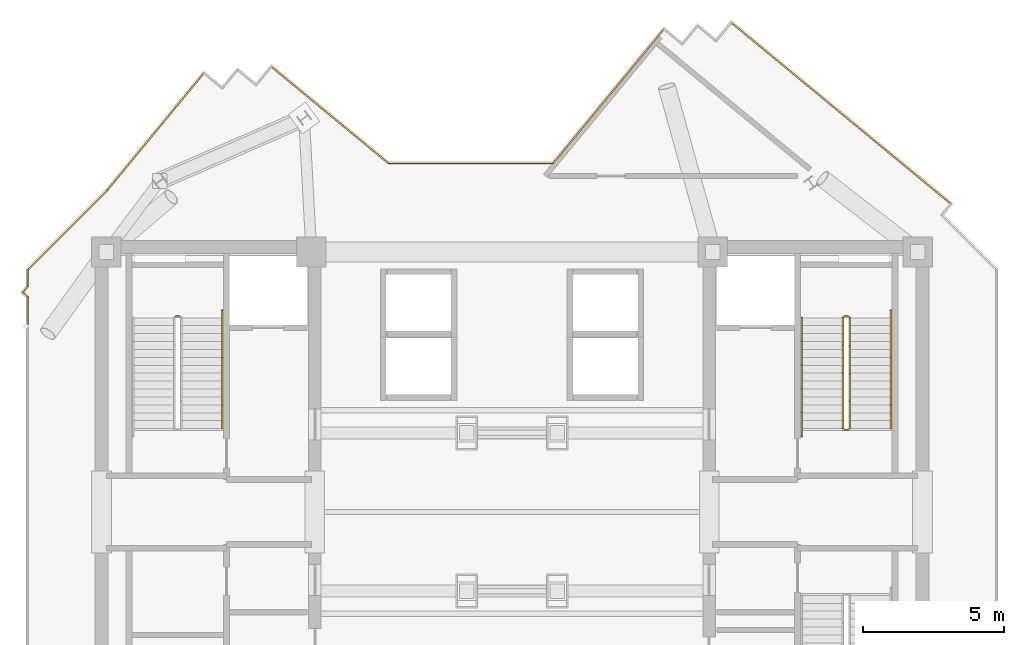
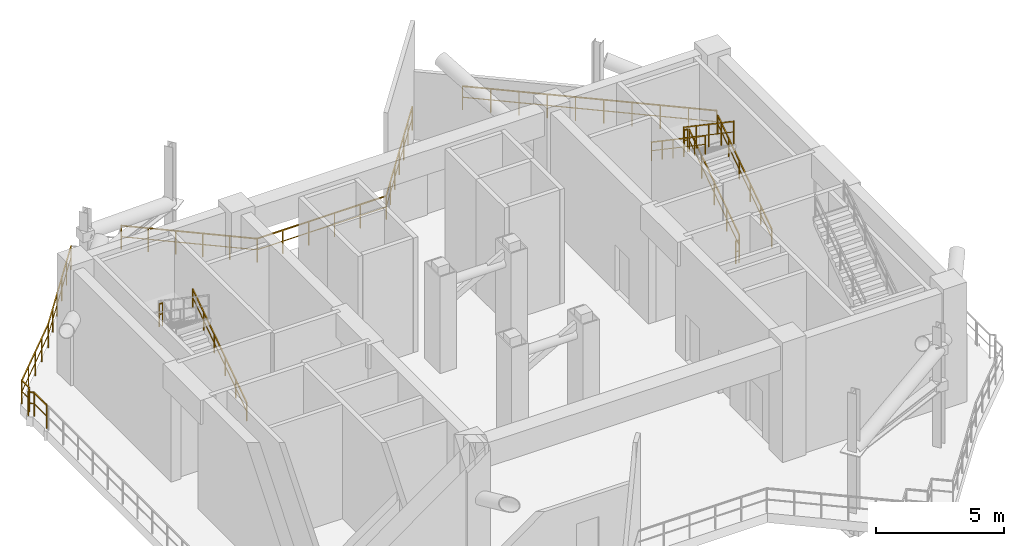
# One storey, part 6 of 7: 18 railings.
"""IFC4 building model written with IfcOpenShell, lengths in metres."""

from ifc_helpers import new_model, si_unit, direction, frame, origin, origin_2d, place, context, subcontext, project, spatial, rectangle, extrude, material, type_object, element, save


model = new_model("IFC4")

# Units and contexts
model_context = context("Model", 3, precision=1e-05, world=origin(), true_north=direction((0.0, 1.0)))
body_context = subcontext(model_context, "Body", "Model", "MODEL_VIEW")
ifc_project = project(units=[si_unit("LENGTHUNIT", "METRE"), si_unit("AREAUNIT", "SQUARE_METRE"), si_unit("VOLUMEUNIT", "CUBIC_METRE"), si_unit("PLANEANGLEUNIT", "RADIAN"), si_unit("MASSUNIT", "GRAM", prefix="KILO")], contexts=[model_context])

# Site, building, storey
site_placement = place(None, origin())
site = spatial("IfcSite", under=ifc_project, at=site_placement, CompositionType="ELEMENT")
building_placement = place(site_placement, origin())
building = spatial("IfcBuilding", under=site, at=building_placement, Name="Zahravan Cultural Tower", CompositionType="ELEMENT")
storey_placement = place(building_placement, frame((0.0, 0.0, 314.10009765625)))
storey = spatial("IfcBuildingStorey", under=building, at=storey_placement, Name="L76", CompositionType="ELEMENT", Elevation=314.10009765625)

# Railings
ifc_material = material(Name="Steel ASTM A572 Grade 50", Category="steel")
railing_type_1 = type_object("IfcRailingType", Name="RL-BAL-1150", PredefinedType="BALUSTRADE", material=ifc_material)
railing_1_placement = place(storey_placement, frame((37.4501953125, 39.330078125, 0.0)))
element("IfcRailing", 1, at=railing_1_placement, inside=storey, type_object=railing_type_1, Name="L76 Edge Balustrade GRD-L76-SLOT-01", PredefinedType="BALUSTRADE", context=body_context, shape_type="SweptSolid", body=[
    extrude(rectangle(XDim=0.05, YDim=0.05, at=origin_2d()), frame((0.0, 0.0, 1.125), z_axis=(0.636503268707, 0.771274003792, 0.0), x_axis=(-0.771274003792, 0.636503268707, 0.0)), (0.0, 0.0, 1.0), 6.157470703125),
    extrude(rectangle(XDim=0.032, YDim=0.032, at=origin_2d()), frame((0.0, 0.0, 0.597900390625), z_axis=(0.636503268707, 0.771274003792, 0.0), x_axis=(-0.771274003792, 0.636503268707, 0.0)), (0.0, 0.0, 1.0), 6.157470703125),
    extrude(rectangle(XDim=0.04, YDim=0.04, at=origin_2d()), origin(), (0.0, 0.0, 1.0), 1.14990234375),
    extrude(rectangle(XDim=0.04, YDim=0.04, at=origin_2d()), frame((0.6533203125, 0.79150390625, 0.0)), (0.0, 0.0, 1.0), 1.14990234375),
    extrude(rectangle(XDim=0.04, YDim=0.04, at=origin_2d()), frame((1.306396484375, 1.5830078125, 0.0)), (0.0, 0.0, 1.0), 1.14990234375),
    extrude(rectangle(XDim=0.04, YDim=0.04, at=origin_2d()), frame((1.95947265625, 2.37451171875, 0.0)), (0.0, 0.0, 1.0), 1.14990234375),
    extrude(rectangle(XDim=0.04, YDim=0.04, at=origin_2d()), frame((2.61279296875, 3.166015625, 0.0)), (0.0, 0.0, 1.0), 1.14990234375),
    extrude(rectangle(XDim=0.04, YDim=0.04, at=origin_2d()), frame((3.26611328125, 3.95751953125, 0.0)), (0.0, 0.0, 1.0), 1.14990234375),
    extrude(rectangle(XDim=0.04, YDim=0.04, at=origin_2d()), frame((3.919189453125, 4.7490234375, 0.0)), (0.0, 0.0, 1.0), 1.14990234375),
])
railing_2_placement = place(storey_placement, frame((43.7626953125, 44.30810546875, 0.0)))
element("IfcRailing", 2, at=railing_2_placement, inside=storey, type_object=railing_type_1, Name="L76 Edge Balustrade GRD-L76-SLOT-06", PredefinedType="BALUSTRADE", context=body_context, shape_type="SweptSolid", body=[
    extrude(rectangle(XDim=0.05, YDim=0.05, at=origin_2d()), frame((0.0, 0.0, 1.125), z_axis=(0.771248176492, -0.636534563286, 0.0), x_axis=(0.636534563286, 0.771248176492, 0.0)), (0.0, 0.0, 1.0), 10.06005859375),
    extrude(rectangle(XDim=0.032, YDim=0.032, at=origin_2d()), frame((0.0, 0.0, 0.597900390625), z_axis=(0.771248176492, -0.636534563286, 0.0), x_axis=(0.636534563286, 0.771248176492, 0.0)), (0.0, 0.0, 1.0), 10.06005859375),
    extrude(rectangle(XDim=0.04, YDim=0.04, at=origin_2d()), origin(), (0.0, 0.0, 1.0), 1.14990234375),
    extrude(rectangle(XDim=0.04, YDim=0.04, at=origin_2d()), frame((0.862060546875, -0.71142578125, 0.0)), (0.0, 0.0, 1.0), 1.14990234375),
    extrude(rectangle(XDim=0.04, YDim=0.04, at=origin_2d()), frame((1.72412109375, -1.423095703125, 0.0)), (0.0, 0.0, 1.0), 1.14990234375),
    extrude(rectangle(XDim=0.04, YDim=0.04, at=origin_2d()), frame((2.586181640625, -2.134521484375, 0.0)), (0.0, 0.0, 1.0), 1.14990234375),
    extrude(rectangle(XDim=0.04, YDim=0.04, at=origin_2d()), frame((3.4482421875, -2.845947265625, 0.0)), (0.0, 0.0, 1.0), 1.14990234375),
    extrude(rectangle(XDim=0.04, YDim=0.04, at=origin_2d()), frame((4.310546875, -3.5576171875, 0.0)), (0.0, 0.0, 1.0), 1.14990234375),
    extrude(rectangle(XDim=0.04, YDim=0.04, at=origin_2d()), frame((5.172607421875, -4.26904296875, 0.0)), (0.0, 0.0, 1.0), 1.14990234375),
    extrude(rectangle(XDim=0.04, YDim=0.04, at=origin_2d()), frame((6.03466796875, -4.98046875, 0.0)), (0.0, 0.0, 1.0), 1.14990234375),
    extrude(rectangle(XDim=0.04, YDim=0.04, at=origin_2d()), frame((6.896728515625, -5.692138671875, 0.0)), (0.0, 0.0, 1.0), 1.14990234375),
    extrude(rectangle(XDim=0.04, YDim=0.04, at=origin_2d()), frame((7.7587890625, -6.403564453125, 0.0)), (0.0, 0.0, 1.0), 1.14990234375),
])
railing_3_placement = place(storey_placement, frame((18.8701171875, 33.642822265625, 0.0)))
element("IfcRailing", 3, at=railing_3_placement, inside=storey, type_object=railing_type_1, Name="L76 Edge Balustrade GRD-L76-SLOT-31", PredefinedType="BALUSTRADE", context=body_context, shape_type="SweptSolid", body=[
    extrude(rectangle(XDim=0.05, YDim=0.05, at=origin_2d()), frame((0.0, 0.0, 1.125), z_axis=(0.0, 1.0, 0.0), x_axis=(-1.0, 0.0, 0.0)), (0.0, 0.0, 1.0), 0.972900390625),
    extrude(rectangle(XDim=0.032, YDim=0.032, at=origin_2d()), frame((0.0, 0.0, 0.597900390625), z_axis=(0.0, 1.0, 0.0), x_axis=(-1.0, 0.0, 0.0)), (0.0, 0.0, 1.0), 0.972900390625),
    extrude(rectangle(XDim=0.04, YDim=0.04, at=origin_2d()), origin(), (0.0, 0.0, 1.0), 1.14990234375),
    extrude(rectangle(XDim=0.04, YDim=0.04, at=origin_2d()), frame((0.0, 0.972900390625, 0.0)), (0.0, 0.0, 1.0), 1.14990234375),
])
railing_4_placement = place(storey_placement, frame((18.8701171875, 34.61572265625, 0.0)))
element("IfcRailing", 4, at=railing_4_placement, inside=storey, type_object=railing_type_1, Name="L76 Edge Balustrade GRD-L76-SLOT-32", PredefinedType="BALUSTRADE", context=body_context, shape_type="SweptSolid", body=[
    extrude(rectangle(XDim=0.05, YDim=0.05, at=origin_2d()), frame((0.0, 0.0, 1.125), z_axis=(-0.771502961892, 0.636225730218, 0.0), x_axis=(-0.636225730218, -0.771502961892, 0.0)), (0.0, 0.0, 1.0), 0.23095703125),
    extrude(rectangle(XDim=0.032, YDim=0.032, at=origin_2d()), frame((0.0, 0.0, 0.597900390625), z_axis=(-0.771502961892, 0.636225730218, 0.0), x_axis=(-0.636225730218, -0.771502961892, 0.0)), (0.0, 0.0, 1.0), 0.23095703125),
    extrude(rectangle(XDim=0.04, YDim=0.04, at=origin_2d()), origin(), (0.0, 0.0, 1.0), 1.14990234375),
    extrude(rectangle(XDim=0.04, YDim=0.04, at=origin_2d()), frame((-0.17822265625, 0.14697265625, 0.0)), (0.0, 0.0, 1.0), 1.14990234375),
])
railing_5_placement = place(storey_placement, frame((18.69189453125, 34.7626953125, 0.0)))
element("IfcRailing", 5, at=railing_5_placement, inside=storey, type_object=railing_type_1, Name="L76 Edge Balustrade GRD-L76-SLOT-33", PredefinedType="BALUSTRADE", context=body_context, shape_type="SweptSolid", body=[
    extrude(rectangle(XDim=0.05, YDim=0.05, at=origin_2d()), frame((0.0, 0.0, 1.125), z_axis=(0.637174636601, 0.770719457697, 0.0), x_axis=(-0.770719457697, 0.637174636601, 0.0)), (0.0, 0.0, 1.0), 0.27978515625),
    extrude(rectangle(XDim=0.032, YDim=0.032, at=origin_2d()), frame((0.0, 0.0, 0.597900390625), z_axis=(0.637174636601, 0.770719457697, 0.0), x_axis=(-0.770719457697, 0.637174636601, 0.0)), (0.0, 0.0, 1.0), 0.27978515625),
    extrude(rectangle(XDim=0.04, YDim=0.04, at=origin_2d()), origin(), (0.0, 0.0, 1.0), 1.14990234375),
    extrude(rectangle(XDim=0.04, YDim=0.04, at=origin_2d()), frame((0.17822265625, 0.215576171875, 0.0)), (0.0, 0.0, 1.0), 1.14990234375),
])
railing_6_placement = place(storey_placement, frame((18.8701171875, 34.978271484375, 0.0)))
element("IfcRailing", 6, at=railing_6_placement, inside=storey, type_object=railing_type_1, Name="L76 Edge Balustrade GRD-L76-SLOT-34", PredefinedType="BALUSTRADE", context=body_context, shape_type="SweptSolid", body=[
    extrude(rectangle(XDim=0.05, YDim=0.05, at=origin_2d()), frame((0.0, 0.0, 1.125), z_axis=(0.0, 1.0, 0.0), x_axis=(-1.0, 0.0, 0.0)), (0.0, 0.0, 1.0), 0.5927734375),
    extrude(rectangle(XDim=0.032, YDim=0.032, at=origin_2d()), frame((0.0, 0.0, 0.597900390625), z_axis=(0.0, 1.0, 0.0), x_axis=(-1.0, 0.0, 0.0)), (0.0, 0.0, 1.0), 0.5927734375),
    extrude(rectangle(XDim=0.04, YDim=0.04, at=origin_2d()), origin(), (0.0, 0.0, 1.0), 1.14990234375),
    extrude(rectangle(XDim=0.04, YDim=0.04, at=origin_2d()), frame((0.0, 0.5927734375, 0.0)), (0.0, 0.0, 1.0), 1.14990234375),
])
railing_7_placement = place(storey_placement, frame((18.8701171875, 35.571044921875, 0.0)))
element("IfcRailing", 7, at=railing_7_placement, inside=storey, type_object=railing_type_1, Name="L76 Edge Balustrade GRD-L76-SLOT-35", PredefinedType="BALUSTRADE", context=body_context, shape_type="SweptSolid", body=[
    extrude(rectangle(XDim=0.05, YDim=0.05, at=origin_2d()), frame((0.0, 0.0, 1.125), z_axis=(0.707106781187, 0.707106781187, 0.0), x_axis=(-0.707106781187, 0.707106781187, 0.0)), (0.0, 0.0, 1.0), 3.960205078125),
    extrude(rectangle(XDim=0.032, YDim=0.032, at=origin_2d()), frame((0.0, 0.0, 0.597900390625), z_axis=(0.707106781187, 0.707106781187, 0.0), x_axis=(-0.707106781187, 0.707106781187, 0.0)), (0.0, 0.0, 1.0), 3.960205078125),
    extrude(rectangle(XDim=0.04, YDim=0.04, at=origin_2d()), origin(), (0.0, 0.0, 1.0), 1.14990234375),
    extrude(rectangle(XDim=0.04, YDim=0.04, at=origin_2d()), frame((0.7001953125, 0.7001953125, 0.0)), (0.0, 0.0, 1.0), 1.14990234375),
    extrude(rectangle(XDim=0.04, YDim=0.04, at=origin_2d()), frame((1.400146484375, 1.400146484375, 0.0)), (0.0, 0.0, 1.0), 1.14990234375),
    extrude(rectangle(XDim=0.04, YDim=0.04, at=origin_2d()), frame((2.10009765625, 2.10009765625, 0.0)), (0.0, 0.0, 1.0), 1.14990234375),
    extrude(rectangle(XDim=0.04, YDim=0.04, at=origin_2d()), frame((2.80029296875, 2.80029296875, 0.0)), (0.0, 0.0, 1.0), 1.14990234375),
])
railing_8_placement = place(storey_placement, frame((21.67041015625, 38.371337890625, 0.0)))
element("IfcRailing", 8, at=railing_8_placement, inside=storey, type_object=railing_type_1, Name="L76 Edge Balustrade GRD-L76-SLOT-36", PredefinedType="BALUSTRADE", context=body_context, shape_type="SweptSolid", body=[
    extrude(rectangle(XDim=0.05, YDim=0.05, at=origin_2d()), frame((0.0, 0.0, 1.125), z_axis=(0.63651320456, 0.771265804, 0.0), x_axis=(-0.771265804, 0.63651320456, 0.0)), (0.0, 0.0, 1.0), 5.380859375),
    extrude(rectangle(XDim=0.032, YDim=0.032, at=origin_2d()), frame((0.0, 0.0, 0.597900390625), z_axis=(0.63651320456, 0.771265804, 0.0), x_axis=(-0.771265804, 0.63651320456, 0.0)), (0.0, 0.0, 1.0), 5.380859375),
    extrude(rectangle(XDim=0.04, YDim=0.04, at=origin_2d()), origin(), (0.0, 0.0, 1.0), 1.14990234375),
    extrude(rectangle(XDim=0.04, YDim=0.04, at=origin_2d()), frame((0.68505859375, 0.830078125, 0.0)), (0.0, 0.0, 1.0), 1.14990234375),
    extrude(rectangle(XDim=0.04, YDim=0.04, at=origin_2d()), frame((1.3701171875, 1.66015625, 0.0)), (0.0, 0.0, 1.0), 1.14990234375),
    extrude(rectangle(XDim=0.04, YDim=0.04, at=origin_2d()), frame((2.054931640625, 2.489990234375, 0.0)), (0.0, 0.0, 1.0), 1.14990234375),
    extrude(rectangle(XDim=0.04, YDim=0.04, at=origin_2d()), frame((2.739990234375, 3.320068359375, 0.0)), (0.0, 0.0, 1.0), 1.14990234375),
    extrude(rectangle(XDim=0.04, YDim=0.04, at=origin_2d()), frame((3.425048828125, 4.150146484375, 0.0)), (0.0, 0.0, 1.0), 1.14990234375),
])
railing_9_placement = place(storey_placement, frame((27.48876953125, 42.75048828125, 0.0)))
element("IfcRailing", 9, at=railing_9_placement, inside=storey, type_object=railing_type_1, Name="L76 Edge Balustrade GRD-L76-SLOT-41", PredefinedType="BALUSTRADE", context=body_context, shape_type="SweptSolid", body=[
    extrude(rectangle(XDim=0.05, YDim=0.05, at=origin_2d()), frame((0.0, 0.0, 1.125), z_axis=(0.77126621599, -0.63651270535, 0.0), x_axis=(0.63651270535, 0.77126621599, 0.0)), (0.0, 0.0, 1.0), 5.373779296875),
    extrude(rectangle(XDim=0.032, YDim=0.032, at=origin_2d()), frame((0.0, 0.0, 0.597900390625), z_axis=(0.77126621599, -0.63651270535, 0.0), x_axis=(0.63651270535, 0.77126621599, 0.0)), (0.0, 0.0, 1.0), 5.373779296875),
    extrude(rectangle(XDim=0.04, YDim=0.04, at=origin_2d()), origin(), (0.0, 0.0, 1.0), 1.14990234375),
    extrude(rectangle(XDim=0.04, YDim=0.04, at=origin_2d()), frame((0.828857421875, -0.68408203125, 0.0)), (0.0, 0.0, 1.0), 1.14990234375),
    extrude(rectangle(XDim=0.04, YDim=0.04, at=origin_2d()), frame((1.65771484375, -1.3681640625, 0.0)), (0.0, 0.0, 1.0), 1.14990234375),
    extrude(rectangle(XDim=0.04, YDim=0.04, at=origin_2d()), frame((2.48681640625, -2.05224609375, 0.0)), (0.0, 0.0, 1.0), 1.14990234375),
    extrude(rectangle(XDim=0.04, YDim=0.04, at=origin_2d()), frame((3.315673828125, -2.736328125, 0.0)), (0.0, 0.0, 1.0), 1.14990234375),
    extrude(rectangle(XDim=0.04, YDim=0.04, at=origin_2d()), frame((4.14453125, -3.42041015625, 0.0)), (0.0, 0.0, 1.0), 1.14990234375),
])
railing_10_placement = place(storey_placement, frame((31.63330078125, 39.330078125, 0.0)))
element("IfcRailing", 10, at=railing_10_placement, inside=storey, type_object=railing_type_1, Name="L76 Edge Balustrade GRD-L76-SLOT-42", PredefinedType="BALUSTRADE", context=body_context, shape_type="SweptSolid", body=[
    extrude(rectangle(XDim=0.05, YDim=0.05, at=origin_2d()), frame((0.0, 0.0, 1.125), z_axis=(1.0, 0.0, 0.0), x_axis=(0.0, 1.0, 0.0)), (0.0, 0.0, 1.0), 5.81689453125),
    extrude(rectangle(XDim=0.032, YDim=0.032, at=origin_2d()), frame((0.0, 0.0, 0.597900390625), z_axis=(1.0, 0.0, 0.0), x_axis=(0.0, 1.0, 0.0)), (0.0, 0.0, 1.0), 5.81689453125),
    extrude(rectangle(XDim=0.04, YDim=0.04, at=origin_2d()), origin(), (0.0, 0.0, 1.0), 1.14990234375),
    extrude(rectangle(XDim=0.04, YDim=0.04, at=origin_2d()), frame((1.163330078125, 0.0, 0.0)), (0.0, 0.0, 1.0), 1.14990234375),
    extrude(rectangle(XDim=0.04, YDim=0.04, at=origin_2d()), frame((2.32666015625, 0.0, 0.0)), (0.0, 0.0, 1.0), 1.14990234375),
    extrude(rectangle(XDim=0.04, YDim=0.04, at=origin_2d()), frame((3.490234375, 0.0, 0.0)), (0.0, 0.0, 1.0), 1.14990234375),
    extrude(rectangle(XDim=0.04, YDim=0.04, at=origin_2d()), frame((4.653564453125, 0.0, 0.0)), (0.0, 0.0, 1.0), 1.14990234375),
    extrude(rectangle(XDim=0.04, YDim=0.04, at=origin_2d()), frame((5.81689453125, 0.0, 0.0)), (0.0, 0.0, 1.0), 1.14990234375),
])
railing_type_2 = type_object("IfcRailingType", Name="RL-STAIR-GRD1150", PredefinedType="BALUSTRADE", material=ifc_material)
railing_11_placement = place(storey_placement, frame((24.25, 33.919921875, 2.849853515625)))
element("IfcRailing", 11, at=railing_11_placement, inside=storey, type_object=railing_type_2, Name="L76 ST-W1 stair guard 2", PredefinedType="BALUSTRADE", context=body_context, shape_type="SweptSolid", body=[
    extrude(rectangle(XDim=0.05, YDim=0.05, at=origin_2d()), frame((0.0, 0.0, 1.0751953125), z_axis=(-1.0, 0.0, 0.0), x_axis=(0.0, -1.0, 0.0)), (0.0, 0.0, 1.0), 0.14990234375),
    extrude(rectangle(XDim=0.032, YDim=0.032, at=origin_2d()), frame((0.0, 0.0, 0.572021484375), z_axis=(-1.0, 0.0, 0.0), x_axis=(0.0, -1.0, 0.0)), (0.0, 0.0, 1.0), 0.14990234375),
    extrude(rectangle(XDim=0.04, YDim=0.04, at=origin_2d()), origin(), (0.0, 0.0, 1.0), 1.10009765625),
    extrude(rectangle(XDim=0.04, YDim=0.04, at=origin_2d()), frame((-0.14990234375, 0.0, 0.0)), (0.0, 0.0, 1.0), 1.10009765625),
])
railing_12_placement = place(storey_placement, frame((47.949951171875, 29.949951171875, 0.18994140625)))
element("IfcRailing", 12, at=railing_12_placement, inside=storey, type_object=railing_type_2, Name="L76 ST-E1 stair guard 1", PredefinedType="BALUSTRADE", context=body_context, shape_type="SweptSolid", body=[
    extrude(rectangle(XDim=0.05, YDim=0.05, at=origin_2d()), frame((0.0, 0.0, 1.0751953125), z_axis=(0.0, 0.827495442652, 0.56147243244), x_axis=(-1.0, 0.0, 0.0)), (0.0, 0.0, 1.0), 4.7373046875),
    extrude(rectangle(XDim=0.032, YDim=0.032, at=origin_2d()), frame((0.0, 0.0, 0.572021484375), z_axis=(0.0, 0.827495442652, 0.56147243244), x_axis=(-1.0, 0.0, 0.0)), (0.0, 0.0, 1.0), 4.7373046875),
    extrude(rectangle(XDim=0.04, YDim=0.04, at=origin_2d()), origin(), (0.0, 0.0, 1.0), 1.10009765625),
    extrude(rectangle(XDim=0.04, YDim=0.04, at=origin_2d()), frame((0.0, 0.97998046875, 0.6650390625)), (0.0, 0.0, 1.0), 1.10009765625),
    extrude(rectangle(XDim=0.04, YDim=0.04, at=origin_2d()), frame((0.0, 1.9599609375, 1.330078125)), (0.0, 0.0, 1.0), 1.10009765625),
    extrude(rectangle(XDim=0.04, YDim=0.04, at=origin_2d()), frame((0.0, 2.940185546875, 1.994873046875)), (0.0, 0.0, 1.0), 1.10009765625),
    extrude(rectangle(XDim=0.04, YDim=0.04, at=origin_2d()), frame((0.0, 3.920166015625, 2.659912109375)), (0.0, 0.0, 1.0), 1.10009765625),
])
railing_13_placement = place(storey_placement, frame((47.89990234375, 33.919921875, 2.849853515625)))
element("IfcRailing", 13, at=railing_13_placement, inside=storey, type_object=railing_type_2, Name="L76 ST-E1 stair guard 2", PredefinedType="BALUSTRADE", context=body_context, shape_type="SweptSolid", body=[
    extrude(rectangle(XDim=0.05, YDim=0.05, at=origin_2d()), frame((0.0, 0.0, 1.0751953125), z_axis=(-1.0, 0.0, 0.0), x_axis=(0.0, -1.0, 0.0)), (0.0, 0.0, 1.0), 0.14990234375),
    extrude(rectangle(XDim=0.032, YDim=0.032, at=origin_2d()), frame((0.0, 0.0, 0.572021484375), z_axis=(-1.0, 0.0, 0.0), x_axis=(0.0, -1.0, 0.0)), (0.0, 0.0, 1.0), 0.14990234375),
    extrude(rectangle(XDim=0.04, YDim=0.04, at=origin_2d()), origin(), (0.0, 0.0, 1.0), 1.10009765625),
    extrude(rectangle(XDim=0.04, YDim=0.04, at=origin_2d()), frame((-0.14990234375, 0.0, 0.0)), (0.0, 0.0, 1.0), 1.10009765625),
])
railing_14_placement = place(storey_placement, frame((47.699951171875, 33.8701171875, 3.039794921875)))
element("IfcRailing", 14, at=railing_14_placement, inside=storey, type_object=railing_type_2, Name="L76 ST-E1 stair guard 3", PredefinedType="BALUSTRADE", context=body_context, shape_type="SweptSolid", body=[
    extrude(rectangle(XDim=0.05, YDim=0.05, at=origin_2d()), frame((0.0, 0.0, 1.0751953125), z_axis=(0.0, -0.827471498672, 0.561507719346), x_axis=(1.0, 0.0, 0.0)), (0.0, 0.0, 1.0), 4.737548828125),
    extrude(rectangle(XDim=0.032, YDim=0.032, at=origin_2d()), frame((0.0, 0.0, 0.572021484375), z_axis=(0.0, -0.827471498672, 0.561507719346), x_axis=(1.0, 0.0, 0.0)), (0.0, 0.0, 1.0), 4.737548828125),
    extrude(rectangle(XDim=0.04, YDim=0.04, at=origin_2d()), origin(), (0.0, 0.0, 1.0), 1.10009765625),
    extrude(rectangle(XDim=0.04, YDim=0.04, at=origin_2d()), frame((0.0, -0.97998046875, 0.6650390625)), (0.0, 0.0, 1.0), 1.10009765625),
    extrude(rectangle(XDim=0.04, YDim=0.04, at=origin_2d()), frame((0.0, -1.9599609375, 1.330078125)), (0.0, 0.0, 1.0), 1.10009765625),
    extrude(rectangle(XDim=0.04, YDim=0.04, at=origin_2d()), frame((0.0, -2.940185546875, 1.9951171875)), (0.0, 0.0, 1.0), 1.10009765625),
    extrude(rectangle(XDim=0.04, YDim=0.04, at=origin_2d()), frame((0.0, -3.920166015625, 2.66015625)), (0.0, 0.0, 1.0), 1.10009765625),
])
railing_15_placement = place(storey_placement, frame((47.89990234375, 29.89990234375, 0.0)))
element("IfcRailing", 15, at=railing_15_placement, inside=storey, type_object=railing_type_2, Name="L76 ST-E1 stair guard 4", PredefinedType="BALUSTRADE", context=body_context, shape_type="SweptSolid", body=[
    extrude(rectangle(XDim=0.05, YDim=0.05, at=origin_2d()), frame((0.0, 0.0, 1.0751953125), z_axis=(-1.0, 0.0, 0.0), x_axis=(0.0, -1.0, 0.0)), (0.0, 0.0, 1.0), 0.14990234375),
    extrude(rectangle(XDim=0.032, YDim=0.032, at=origin_2d()), frame((0.0, 0.0, 0.572021484375), z_axis=(-1.0, 0.0, 0.0), x_axis=(0.0, -1.0, 0.0)), (0.0, 0.0, 1.0), 0.14990234375),
    extrude(rectangle(XDim=0.04, YDim=0.04, at=origin_2d()), origin(), (0.0, 0.0, 1.0), 1.10009765625),
    extrude(rectangle(XDim=0.04, YDim=0.04, at=origin_2d()), frame((-0.14990234375, 0.0, 0.0)), (0.0, 0.0, 1.0), 1.10009765625),
])
railing_type_3 = type_object("IfcRailingType", Name="RL-STAIR-HR900", PredefinedType="HANDRAIL", material=ifc_material)
for number, where, name in (
    (16, (25.75, 29.949951171875, 0.18994140625), "L76 ST-W1 stair handrail 1"),
    (17, (49.39990234375, 29.949951171875, 0.18994140625), "L76 ST-E1 stair handrail 1"),
):
    element("IfcRailing", number, at=place(storey_placement, frame(where)), inside=storey, type_object=railing_type_3, Name=name, PredefinedType="HANDRAIL", context=body_context, shape_type="SweptSolid", body=[
        extrude(rectangle(XDim=0.05, YDim=0.05, at=origin_2d()), frame((0.0, 0.0, 0.875), z_axis=(0.0, 0.827486150682, 0.561486126659), x_axis=(-1.0, 0.0, 0.0)), (0.0, 0.0, 1.0), 5.075439453125),
        extrude(rectangle(XDim=0.032, YDim=0.032, at=origin_2d()), frame((0.0, 0.0, 0.468017578125), z_axis=(0.0, 0.827486150682, 0.561486126659), x_axis=(-1.0, 0.0, 0.0)), (0.0, 0.0, 1.0), 5.075439453125),
        extrude(rectangle(XDim=0.04, YDim=0.04, at=origin_2d()), origin(), (0.0, 0.0, 1.0), 0.89990234375),
        extrude(rectangle(XDim=0.04, YDim=0.04, at=origin_2d()), frame((0.0, 0.840087890625, 0.570068359375)), (0.0, 0.0, 1.0), 0.89990234375),
        extrude(rectangle(XDim=0.04, YDim=0.04, at=origin_2d()), frame((0.0, 1.679931640625, 1.139892578125)), (0.0, 0.0, 1.0), 0.89990234375),
        extrude(rectangle(XDim=0.04, YDim=0.04, at=origin_2d()), frame((0.0, 2.52001953125, 1.7099609375)), (0.0, 0.0, 1.0), 0.89990234375),
        extrude(rectangle(XDim=0.04, YDim=0.04, at=origin_2d()), frame((0.0, 3.35986328125, 2.27978515625)), (0.0, 0.0, 1.0), 0.89990234375),
        extrude(rectangle(XDim=0.04, YDim=0.04, at=origin_2d()), frame((0.0, 4.199951171875, 2.849853515625)), (0.0, 0.0, 1.0), 0.89990234375),
    ])
railing_16_placement = place(storey_placement, frame((46.25, 33.8701171875, 3.039794921875)))
element("IfcRailing", 18, at=railing_16_placement, inside=storey, type_object=railing_type_3, Name="L76 ST-E1 stair handrail 2", PredefinedType="HANDRAIL", context=body_context, shape_type="SweptSolid", body=[
    extrude(rectangle(XDim=0.05, YDim=0.05, at=origin_2d()), frame((0.0, 0.0, 0.875), z_axis=(0.0, -0.827478966913, 0.56149671354), x_axis=(1.0, 0.0, 0.0)), (0.0, 0.0, 1.0), 5.075927734375),
    extrude(rectangle(XDim=0.032, YDim=0.032, at=origin_2d()), frame((0.0, 0.0, 0.468017578125), z_axis=(0.0, -0.827478966913, 0.56149671354), x_axis=(1.0, 0.0, 0.0)), (0.0, 0.0, 1.0), 5.075927734375),
    extrude(rectangle(XDim=0.04, YDim=0.04, at=origin_2d()), origin(), (0.0, 0.0, 1.0), 0.89990234375),
    extrude(rectangle(XDim=0.04, YDim=0.04, at=origin_2d()), frame((0.0, -0.840087890625, 0.570068359375)), (0.0, 0.0, 1.0), 0.89990234375),
    extrude(rectangle(XDim=0.04, YDim=0.04, at=origin_2d()), frame((0.0, -1.68017578125, 1.14013671875)), (0.0, 0.0, 1.0), 0.89990234375),
    extrude(rectangle(XDim=0.04, YDim=0.04, at=origin_2d()), frame((0.0, -2.52001953125, 1.7099609375)), (0.0, 0.0, 1.0), 0.89990234375),
    extrude(rectangle(XDim=0.04, YDim=0.04, at=origin_2d()), frame((0.0, -3.360107421875, 2.280029296875)), (0.0, 0.0, 1.0), 0.89990234375),
    extrude(rectangle(XDim=0.04, YDim=0.04, at=origin_2d()), frame((0.0, -4.2001953125, 2.85009765625)), (0.0, 0.0, 1.0), 0.89990234375),
])

save(model, "model.ifc")
